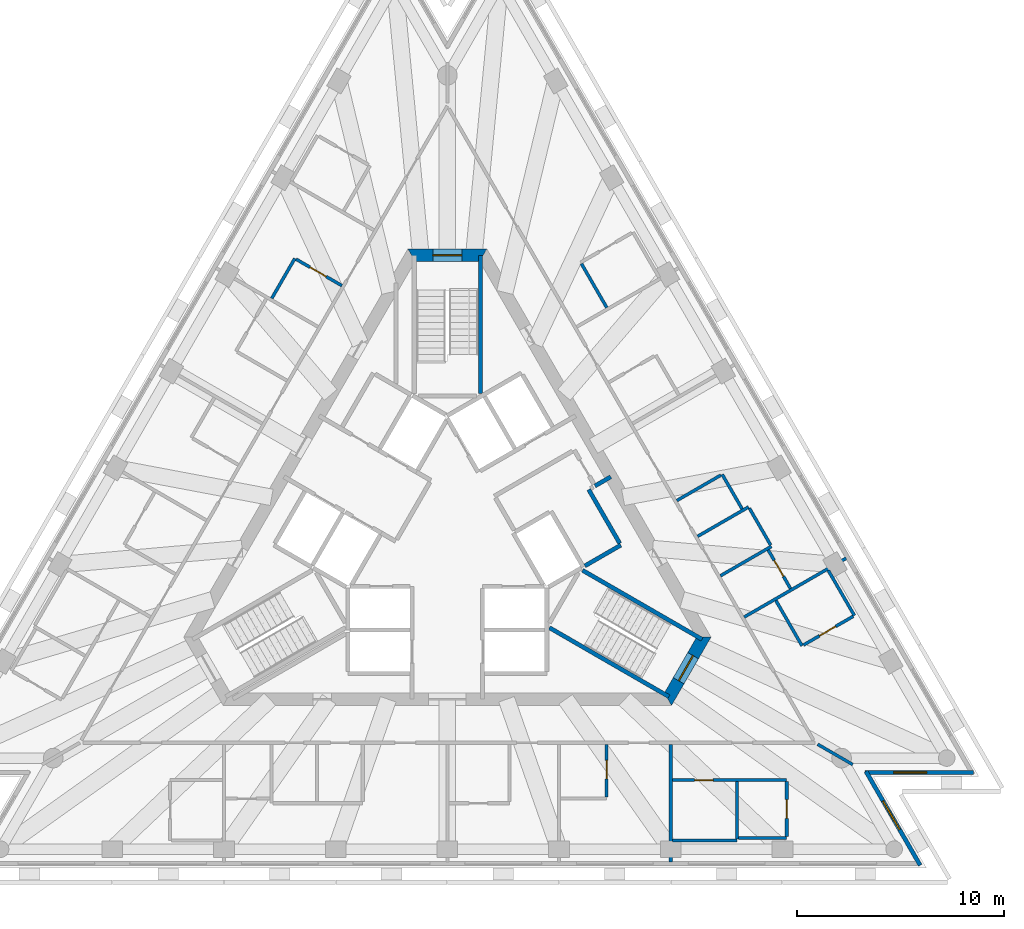
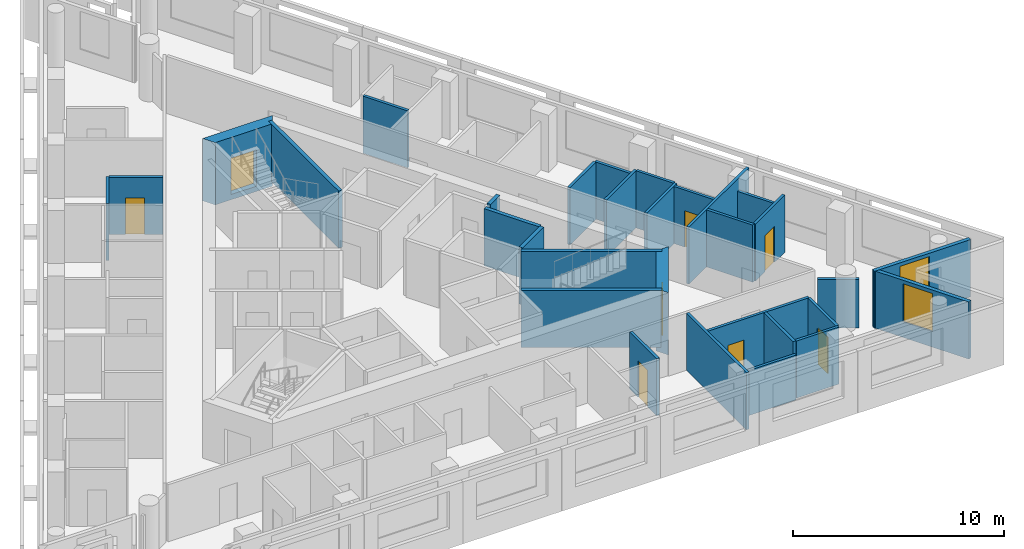
# One storey, part 6 of 10: 31 walls, 8 doors, 2 windows, 10 openings.
"""IFC4 building model written with IfcOpenShell, lengths in metres."""

from ifc_helpers import new_model, si_unit, direction, frame, frame_2d, origin, place, context, subcontext, project, spatial, polyline, rectangle, outline, extrude, material, layer, layer_set, layer_usage, type_object, element, fill, save


model = new_model("IFC4")

# Units and contexts
model_context = context("Model", 3, precision=1e-05, world=origin(), true_north=direction((0.0, 1.0)))
body_context = subcontext(model_context, "Body", "Model", "MODEL_VIEW")
ifc_project = project(units=[si_unit("LENGTHUNIT", "METRE"), si_unit("AREAUNIT", "SQUARE_METRE"), si_unit("VOLUMEUNIT", "CUBIC_METRE"), si_unit("PLANEANGLEUNIT", "RADIAN"), si_unit("MASSUNIT", "GRAM", prefix="KILO")], contexts=[model_context])

# Site, building, storey
site_placement = place(None, origin())
site = spatial("IfcSite", under=ifc_project, at=site_placement, CompositionType="ELEMENT")
building_placement = place(site_placement, origin())
building = spatial("IfcBuilding", under=site, at=building_placement, Name="Triada Interchange Tower", CompositionType="ELEMENT")
storey_placement = place(building_placement, frame((0.0, 0.0, 293.5)))
storey = spatial("IfcBuildingStorey", under=building, at=storey_placement, Name="L69", CompositionType="ELEMENT", Elevation=293.5)

# Walls
ifc_material_1 = material(Name="Concrete C30/37", Category="concrete")
ifc_layer_1 = layer(ifc_material_1, 0.199951171875)
ifc_layer_set_1 = layer_set([ifc_layer_1], Name="CORE WALL 200 EI 120")
wall_type_1 = type_object("IfcWallType", Name="CORE WALL 200 EI 120", PredefinedType="SOLIDWALL", material=ifc_layer_set_1)
wall_1_placement = place(storey_placement, frame((7.12890625, 2.153076171875, 0.0), z_axis=(0.0, 0.0, 1.0), x_axis=(0.866083962871, 0.499898558967, 0.0)))
element("IfcWall", 1, at=wall_1_placement, inside=storey, type_object=wall_type_1, Name="Wall L68 87", PredefinedType="SOLIDWALL", context=body_context, shape_type="SweptSolid", body=[
    extrude(rectangle(XDim=0.880126953125, YDim=0.199951171875, at=frame_2d((0.43994140625, 0.0))), origin(), (0.0, 0.0, 1.0), 3.300048828125),
])
ifc_layer_2 = layer(ifc_material_1, 0.199951171875)
ifc_layer_set_2 = layer_set([ifc_layer_2], Name="CORE WALL 200 EI 90")
wall_type_2 = type_object("IfcWallType", Name="CORE WALL 200 EI 90", PredefinedType="SOLIDWALL", material=ifc_layer_set_2)
wall_2_placement = place(storey_placement, frame((6.64208984375, -1.7080078125, 0.0), z_axis=(0.0, 0.0, 1.0), x_axis=(0.866043441391, 0.499968756647, 0.0)))
element("IfcWall", 2, at=wall_2_placement, inside=storey, type_object=wall_type_2, Name="Wall L68 109", PredefinedType="SOLIDWALL", context=body_context, shape_type="SweptSolid", body=[
    extrude(rectangle(XDim=2.002197265625, YDim=0.199951171875, at=frame_2d((1.0009765625, 0.0))), origin(), (0.0, 0.0, 1.0), 3.300048828125),
])
wall_3_placement = place(storey_placement, frame((6.825927734375, 1.97802734375, 0.0), z_axis=(0.0, 0.0, 1.0), x_axis=(0.499990139034, -0.866031096941, 0.0)))
element("IfcWall", 3, at=wall_3_placement, inside=storey, type_object=wall_type_2, Name="Wall L68 110", PredefinedType="SOLIDWALL", context=body_context, shape_type="SweptSolid", body=[
    extrude(rectangle(XDim=3.0, YDim=0.199951171875, at=frame_2d((1.5, 0.0))), origin(), (0.0, 0.0, 1.0), 3.300048828125),
])
ifc_layer_3 = layer(ifc_material_1, 0.199951171875)
ifc_layer_set_3 = layer_set([ifc_layer_3], Name="CORE WALL 200 REI 240")
wall_type_3 = type_object("IfcWallType", Name="CORE WALL 200 REI 240", PredefinedType="SOLIDWALL", material=ifc_layer_set_3)
for number, where, z_axis, x_axis, name in (
    (4, (1.60009765625, 6.614990234375, 0.0), (0.0, 0.0, 1.0), (0.0, 1.0, 0.0), "Wall L68 115"),
    (5, (4.928955078125, -4.693115234375, 0.0), (0.0, 0.0, 1.0), (0.866005022404, -0.500035299925, 0.0), "Wall L68 118"),
):
    element("IfcWall", number, at=place(storey_placement, frame(where, z_axis=z_axis, x_axis=x_axis)), inside=storey, type_object=wall_type_3, Name=name, PredefinedType="SOLIDWALL", context=body_context, shape_type="SweptSolid", body=[
        extrude(rectangle(XDim=6.6650390625, YDim=0.199951171875, at=frame_2d((3.33251953125, 0.0))), origin(), (0.0, 0.0, 1.0), 3.300048828125),
    ])
wall_4_placement = place(storey_placement, frame((6.529052734375, -1.922119140625, 0.0), z_axis=(0.0, 0.0, 1.0), x_axis=(0.866068467981, -0.499925403204, 0.0)))
element("IfcWall", 6, at=wall_4_placement, inside=storey, type_object=wall_type_3, Name="Wall L68 120", PredefinedType="SOLIDWALL", context=body_context, shape_type="SweptSolid", body=[
    extrude(rectangle(XDim=6.66455078125, YDim=0.199951171875, at=frame_2d((3.332275390625, 0.0))), origin(), (0.0, 0.0, 1.0), 3.300048828125),
])

# Wall, opening, door
ifc_material_2 = material(Name="Concrete C40/50", Category="concrete")
ifc_layer_4 = layer(ifc_material_2, 0.60009765625)
ifc_layer_set_4 = layer_set([ifc_layer_4], Name="Core wall D 600")
wall_type_4 = type_object("IfcWallType", Name="Core wall D 600", PredefinedType="SHEAR", material=ifc_layer_set_4)
wall_5_placement = place(storey_placement, frame((1.73193359375, 13.300048828125, -0.300048828125), z_axis=(0.0, 0.0, 1.0), x_axis=(-1.0, 0.0, 0.0)))
wall_5 = element("IfcWall", 7, at=wall_5_placement, inside=storey, type_object=wall_type_4, Name="Core wall WD01 L69", PredefinedType="SHEAR", context=body_context, shape_type="SweptSolid", body=[
    extrude(outline(polyline([(-0.173095703125, -0.300048828125), (1.73193359375, -0.300048828125), (3.636962890625, -0.300048828125), (3.291015625, 0.300048828125), (1.73193359375, 0.300048828125), (0.173095703125, 0.300048828125), (-0.173095703125, -0.300048828125)])), origin(), (0.0, 0.0, 1.0), 3.60009765625),
])
opening_1_placement = place(wall_5_placement, frame((1.031982421875, 0.0, 0.300048828125)))
opening_1 = element("IfcOpeningElement", 8, at=opening_1_placement, cuts=wall_5, Name="Opening D68-48", PredefinedType="OPENING", context=body_context, shape_type="SweptSolid", body=[
    extrude(rectangle(XDim=1.39990234375, YDim=2.10009765625, at=frame_2d((0.699951171875, 1.050048828125))), frame((0.0, 0.31005859375, 0.0), z_axis=(0.0, -1.0, 0.0), x_axis=(1.0, 0.0, 0.0)), (0.0, 0.0, 1.0), 0.6201171875),
])
ifc_material_3 = material(Name="Steel S235 door leaf", Category="steel")
door_type_1 = type_object("IfcDoorType", Name="STAIR DOOR 1400 EI2 90-C5S200", OperationType="DOUBLE_DOOR_SINGLE_SWING", PredefinedType="DOOR", material=ifc_material_3)
door_1_placement = place(opening_1_placement, origin())
door_1 = element("IfcDoor", 9, at=door_1_placement, inside=storey, type_object=door_type_1, Name="Door D68-48 L69", OperationType="DOUBLE_DOOR_SINGLE_SWING", OverallHeight=2.10009765625, OverallWidth=1.39990234375, PredefinedType="DOOR", context=body_context, shape_type="SweptSolid", body=[
    extrude(rectangle(XDim=1.39990234375, YDim=2.10009765625, at=frame_2d((0.699951171875, 1.050048828125))), frame((0.0, 0.02490234375, 0.0), z_axis=(0.0, -1.0, 0.0), x_axis=(1.0, 0.0, 0.0)), (0.0, 0.0, 1.0), 0.050048828125),
])
fill(opening_1, door_1)

wall_6_placement = place(storey_placement, frame((10.652099609375, -8.14990234375, -0.300048828125), z_axis=(0.0, 0.0, 1.0), x_axis=(0.49997462182, 0.866040055388, 0.0)))
wall_6 = element("IfcWall", 10, at=wall_6_placement, inside=storey, type_object=wall_type_4, Name="Core wall WD05 L69", PredefinedType="SHEAR", context=body_context, shape_type="SweptSolid", body=[
    extrude(outline(polyline([(-0.173095703125, -0.300048828125), (1.732421875, -0.300537109375), (3.637939453125, -0.301025390625), (3.291015625, 0.300048828125), (1.73193359375, 0.300048828125), (0.173095703125, 0.300048828125), (-0.173095703125, -0.300048828125)])), origin(), (0.0, 0.0, 1.0), 3.60009765625),
])
opening_2_placement = place(wall_6_placement, frame((1.031982421875, 0.0, 0.300048828125)))
opening_2 = element("IfcOpeningElement", 11, at=opening_2_placement, cuts=wall_6, Name="Opening D68-50", PredefinedType="OPENING", context=body_context, shape_type="SweptSolid", body=[
    extrude(rectangle(XDim=1.39990234375, YDim=2.10009765625, at=frame_2d((0.699951171875, 1.050048828125))), frame((0.0, 0.31005859375, 0.0), z_axis=(0.0, -1.0, 0.0), x_axis=(1.0, 0.0, 0.0)), (0.0, 0.0, 1.0), 0.62109375),
])
door_2_placement = place(opening_2_placement, origin())
door_2 = element("IfcDoor", 12, at=door_2_placement, inside=storey, type_object=door_type_1, Name="Door D68-50 L69", OperationType="DOUBLE_DOOR_SINGLE_SWING", OverallHeight=2.10009765625, OverallWidth=1.39990234375, PredefinedType="DOOR", context=body_context, shape_type="SweptSolid", body=[
    extrude(rectangle(XDim=1.39990234375, YDim=2.10009765625, at=frame_2d((0.699951171875, 1.050048828125))), frame((0.0, 0.02490234375, 0.0), z_axis=(0.0, -1.0, 0.0), x_axis=(1.0, 0.0, 0.0)), (0.0, 0.0, 1.0), 0.050048828125),
])
fill(opening_2, door_2)

# Wall, opening, window
ifc_material_4 = material(Name="Cement board")
ifc_layer_5 = layer(ifc_material_4, 0.02001953125, Name="Cement board cladding")
ifc_material_5 = material(Name="Sheathing board")
ifc_layer_6 = layer(ifc_material_5, 0.014892578125, Name="Sheathing board")
ifc_material_6 = material(Name="Mineral wool")
ifc_layer_7 = layer(ifc_material_6, 0.14990234375, Name="Mineral wool between steel studs")
ifc_material_7 = material(Name="Gypsum board")
ifc_layer_8 = layer(ifc_material_7, 0.014892578125, Name="Plasterboard lining")
ifc_layer_set_5 = layer_set([ifc_layer_5, ifc_layer_6, ifc_layer_7, ifc_layer_8], Name="External wall 200")
ifc_layer_usage = layer_usage(ifc_layer_set_5, "AXIS2", "POSITIVE", -0.10009765625)
wall_type_5 = type_object("IfcWallType", Name="External wall 200", PredefinedType="ELEMENTEDWALL", material=ifc_layer_set_5)
wall_7_placement = place(storey_placement, frame((22.8349609375, -16.16796875, 0.0), z_axis=(0.0, 0.0, 1.0), x_axis=(-0.499933584342, 0.866063745487, 0.0)))
wall_7 = element("IfcWall", 13, at=wall_7_placement, inside=storey, type_object=wall_type_5, material=ifc_layer_usage, Name="External wall L69 SE-1", PredefinedType="ELEMENTEDWALL", context=body_context, shape_type="SweptSolid", body=[
    extrude(rectangle(XDim=5.238525390625, YDim=0.199951171875, at=frame_2d((2.619140625, 0.0))), origin(), (0.0, 0.0, 1.0), 3.300048828125),
])
opening_3_placement = place(wall_7_placement, frame((1.989990234375, 0.0, 0.89990234375)))
opening_3 = element("IfcOpeningElement", 14, at=opening_3_placement, cuts=wall_7, Name="Opening WD19", PredefinedType="OPENING", context=body_context, shape_type="SweptSolid", body=[
    extrude(rectangle(XDim=1.60009765625, YDim=2.199951171875, at=frame_2d((0.800048828125, 1.10009765625))), frame((0.0, 0.10986328125, 0.0), z_axis=(0.0, -1.0, 0.0), x_axis=(1.0, 0.0, 0.0)), (0.0, 0.0, 1.0), 0.219970703125),
])
ifc_material_8 = material(Name="Double glazed aluminium window", Category="aluminium")
window_type = type_object("IfcWindowType", Name="Ribbon window D pocket", PartitioningType="SINGLE_PANEL", PredefinedType="WINDOW", material=ifc_material_8)
window_1_placement = place(opening_3_placement, origin())
window_1 = element("IfcWindow", 15, at=window_1_placement, inside=storey, type_object=window_type, Name="Window L69 SE-1 1", OverallHeight=2.199951171875, OverallWidth=1.60009765625, PartitioningType="SINGLE_PANEL", PredefinedType="WINDOW", context=body_context, shape_type="SweptSolid", body=[
    extrude(rectangle(XDim=1.60009765625, YDim=2.199951171875, at=frame_2d((0.800048828125, 1.10009765625))), frame((0.0, 0.030029296875, 0.0), z_axis=(0.0, -1.0, 0.0), x_axis=(1.0, 0.0, 0.0)), (0.0, 0.0, 1.0), 0.06005859375),
])
fill(opening_3, window_1)

wall_8_placement = place(storey_placement, frame((20.160888671875, -11.69189453125, 0.0), z_axis=(0.0, 0.0, 1.0), x_axis=(1.0, 0.0, 0.0)))
wall_8 = element("IfcWall", 16, at=wall_8_placement, inside=storey, type_object=wall_type_5, material=ifc_layer_usage, Name="External wall L69 SE-2", PredefinedType="ELEMENTEDWALL", context=body_context, shape_type="SweptSolid", body=[
    extrude(rectangle(XDim=5.239013671875, YDim=0.199951171875, at=frame_2d((2.61962890625, 0.0))), origin(), (0.0, 0.0, 1.0), 3.300048828125),
])
opening_4_placement = place(wall_8_placement, frame((1.389892578125, 0.0, 0.89990234375)))
opening_4 = element("IfcOpeningElement", 17, at=opening_4_placement, cuts=wall_8, Name="Opening WD20", PredefinedType="OPENING", context=body_context, shape_type="SweptSolid", body=[
    extrude(rectangle(XDim=1.60009765625, YDim=2.199951171875, at=frame_2d((0.800048828125, 1.10009765625))), frame((0.0, 0.10986328125, 0.0), z_axis=(0.0, -1.0, 0.0), x_axis=(1.0, 0.0, 0.0)), (0.0, 0.0, 1.0), 0.219970703125),
])
window_2_placement = place(opening_4_placement, origin())
window_2 = element("IfcWindow", 18, at=window_2_placement, inside=storey, type_object=window_type, Name="Window L69 SE-2 1", OverallHeight=2.199951171875, OverallWidth=1.60009765625, PartitioningType="SINGLE_PANEL", PredefinedType="WINDOW", context=body_context, shape_type="SweptSolid", body=[
    extrude(rectangle(XDim=1.60009765625, YDim=2.199951171875, at=frame_2d((0.800048828125, 1.10009765625))), frame((0.0, 0.030029296875, 0.0), z_axis=(0.0, -1.0, 0.0), x_axis=(1.0, 0.0, 0.0)), (0.0, 0.0, 1.0), 0.06005859375),
])
fill(opening_4, window_2)

# Walls
ifc_material_9 = material(Name="Gypsum board partition")
ifc_layer_9 = layer(ifc_material_9, 0.14990234375)
ifc_layer_set_6 = layer_set([ifc_layer_9], Name="PARTITION 150 EI 180")
wall_type_6 = type_object("IfcWallType", Name="PARTITION 150 EI 180", PredefinedType="PARTITIONING", material=ifc_layer_set_6)
wall_9_placement = place(storey_placement, frame((17.883056640625, -10.324951171875, 0.0), z_axis=(0.0, 0.0, 1.0), x_axis=(0.865973311606, -0.500090215447, 0.0)))
element("IfcWall", 19, at=wall_9_placement, inside=storey, type_object=wall_type_6, Name="Wall L68 8", PredefinedType="PARTITIONING", context=body_context, shape_type="SweptSolid", body=[
    extrude(rectangle(XDim=1.953857421875, YDim=0.14990234375, at=frame_2d((0.97705078125, 0.0))), origin(), (0.0, 0.0, 1.0), 2.800048828125),
])
wall_10_placement = place(storey_placement, frame((10.7890625, -16.010009765625, 0.0), z_axis=(0.0, 0.0, 1.0), x_axis=(0.0, 1.0, 0.0)))
element("IfcWall", 20, at=wall_10_placement, inside=storey, type_object=wall_type_6, Name="Wall L68 21", PredefinedType="PARTITIONING", context=body_context, shape_type="SweptSolid", body=[
    extrude(rectangle(XDim=5.68505859375, YDim=0.14990234375, at=frame_2d((2.842529296875, 0.0))), origin(), (0.0, 0.0, 1.0), 3.300048828125),
])
wall_11_placement = place(storey_placement, frame((13.27294921875, 2.7109375, 0.0), z_axis=(0.0, 0.0, 1.0), x_axis=(0.499671230855, -0.86621513555, 0.0)))
element("IfcWall", 21, at=wall_11_placement, inside=storey, type_object=wall_type_6, Name="Wall L68 22", PredefinedType="PARTITIONING", context=body_context, shape_type="SweptSolid", body=[
    extrude(rectangle(XDim=1.925537109375, YDim=0.14990234375, at=frame_2d((0.962890625, 0.0))), origin(), (0.0, 0.0, 1.0), 3.300048828125),
])
wall_12_placement = place(storey_placement, frame((11.0859375, 1.447998046875, 0.0), z_axis=(0.0, 0.0, 1.0), x_axis=(0.8660395779, 0.499975448907, 0.0)))
element("IfcWall", 22, at=wall_12_placement, inside=storey, type_object=wall_type_6, Name="Wall L68 23", PredefinedType="PARTITIONING", context=body_context, shape_type="SweptSolid", body=[
    extrude(rectangle(XDim=2.4501953125, YDim=0.14990234375, at=frame_2d((1.22509765625, 0.0))), origin(), (0.0, 0.0, 1.0), 3.300048828125),
])
wall_13_placement = place(storey_placement, frame((12.0859375, -0.283935546875, 0.0), z_axis=(0.0, 0.0, 1.0), x_axis=(0.865995540999, 0.500051720295, 0.0)))
element("IfcWall", 23, at=wall_13_placement, inside=storey, type_object=wall_type_6, Name="Wall L68 24", PredefinedType="PARTITIONING", context=body_context, shape_type="SweptSolid", body=[
    extrude(rectangle(XDim=2.845458984375, YDim=0.14990234375, at=frame_2d((1.4228515625, 0.0))), origin(), (0.0, 0.0, 1.0), 3.300048828125),
])
wall_14_placement = place(storey_placement, frame((13.18603515625, -2.18896484375, 0.0), z_axis=(0.0, 0.0, 1.0), x_axis=(0.866122712398, 0.499831418649, 0.0)))
element("IfcWall", 24, at=wall_14_placement, inside=storey, type_object=wall_type_6, Name="Wall L68 25", PredefinedType="PARTITIONING", context=body_context, shape_type="SweptSolid", body=[
    extrude(rectangle(XDim=2.8447265625, YDim=0.14990234375, at=frame_2d((1.42236328125, 0.0))), origin(), (0.0, 0.0, 1.0), 3.300048828125),
])
wall_15_placement = place(storey_placement, frame((14.3359375, -4.180908203125, 0.0), z_axis=(0.0, 0.0, 1.0), x_axis=(0.86606758311, 0.499926936147, 0.0)))
element("IfcWall", 25, at=wall_15_placement, inside=storey, type_object=wall_type_6, Name="Wall L68 26", PredefinedType="PARTITIONING", context=body_context, shape_type="SweptSolid", body=[
    extrude(rectangle(XDim=5.684326171875, YDim=0.14990234375, at=frame_2d((2.84228515625, 0.0))), origin(), (0.0, 0.0, 1.0), 3.300048828125),
])
wall_16_placement = place(storey_placement, frame((14.587890625, 1.073974609375, 0.0), z_axis=(0.0, 0.0, 1.0), x_axis=(0.499942325911, -0.866058699375, 0.0)))
element("IfcWall", 26, at=wall_16_placement, inside=storey, type_object=wall_type_6, Name="Wall L68 27", PredefinedType="PARTITIONING", context=body_context, shape_type="SweptSolid", body=[
    extrude(rectangle(XDim=2.050537109375, YDim=0.14990234375, at=frame_2d((1.025390625, 0.0))), origin(), (0.0, 0.0, 1.0), 3.300048828125),
])
ifc_layer_10 = layer(ifc_material_9, 0.14990234375)
ifc_layer_set_7 = layer_set([ifc_layer_10], Name="PARTITION 150 EI 90")
wall_type_7 = type_object("IfcWallType", Name="PARTITION 150 EI 90", PredefinedType="PARTITIONING", material=ifc_layer_set_7)
wall_17_placement = place(storey_placement, frame((-8.47998046875, 11.2119140625, 0.0), z_axis=(0.0, 0.0, 1.0), x_axis=(0.499833278392, 0.866121639155, 0.0)))
element("IfcWall", 27, at=wall_17_placement, inside=storey, type_object=wall_type_7, Name="Wall L68 39", PredefinedType="PARTITIONING", context=body_context, shape_type="SweptSolid", body=[
    extrude(rectangle(XDim=2.224853515625, YDim=0.14990234375, at=frame_2d((1.1123046875, 0.0))), origin(), (0.0, 0.0, 1.0), 3.300048828125),
])

# Wall, opening, door
wall_18_placement = place(storey_placement, frame((10.864013671875, -12.050048828125, 0.0), z_axis=(0.0, 0.0, 1.0), x_axis=(1.0, 0.0, 0.0)))
wall_18 = element("IfcWall", 28, at=wall_18_placement, inside=storey, type_object=wall_type_7, Name="Wall L68 42", PredefinedType="PARTITIONING", context=body_context, shape_type="SweptSolid", body=[
    extrude(rectangle(XDim=5.52490234375, YDim=0.14990234375, at=frame_2d((2.762451171875, 0.0))), origin(), (0.0, 0.0, 1.0), 3.300048828125),
])
opening_5_placement = place(wall_18_placement, frame((1.074951171875, 0.0, 0.0)))
opening_5 = element("IfcOpeningElement", 29, at=opening_5_placement, cuts=wall_18, Name="Opening D68-22", PredefinedType="OPENING", context=body_context, shape_type="SweptSolid", body=[
    extrude(rectangle(XDim=0.89990234375, YDim=2.10009765625, at=frame_2d((0.449951171875, 1.050048828125))), frame((0.0, 0.0849609375, 0.0), z_axis=(0.0, -1.0, 0.0), x_axis=(1.0, 0.0, 0.0)), (0.0, 0.0, 1.0), 0.169921875),
])
door_type_2 = type_object("IfcDoorType", Name="ROOM DOOR 900 EI2 45-C5S200", OperationType="NOTDEFINED", PredefinedType="DOOR", material=ifc_material_3)
door_3_placement = place(opening_5_placement, origin())
door_3 = element("IfcDoor", 30, at=door_3_placement, inside=storey, type_object=door_type_2, Name="Door D68-22 L69", OperationType="SINGLE_SWING_RIGHT", OverallHeight=2.10009765625, OverallWidth=0.89990234375, PredefinedType="DOOR", context=body_context, shape_type="SweptSolid", body=[
    extrude(rectangle(XDim=0.89990234375, YDim=2.10009765625, at=frame_2d((0.449951171875, 1.050048828125))), frame((0.0, 0.02490234375, 0.0), z_axis=(0.0, -1.0, 0.0), x_axis=(1.0, 0.0, 0.0)), (0.0, 0.0, 1.0), 0.050048828125),
])
fill(opening_5, door_3)

# Wall
wall_19_placement = place(storey_placement, frame((10.864013671875, -14.969970703125, 0.0), z_axis=(0.0, 0.0, 1.0), x_axis=(1.0, 0.0, 0.0)))
element("IfcWall", 31, at=wall_19_placement, inside=storey, type_object=wall_type_7, Name="Wall L68 45", PredefinedType="PARTITIONING", context=body_context, shape_type="SweptSolid", body=[
    extrude(rectangle(XDim=3.125, YDim=0.14990234375, at=frame_2d((1.5625, 0.0))), origin(), (0.0, 0.0, 1.0), 2.60009765625),
])

# Wall, opening, door
wall_20_placement = place(storey_placement, frame((7.694091796875, -12.875, 0.0), z_axis=(0.0, 0.0, 1.0), x_axis=(0.0, 1.0, 0.0)))
wall_20 = element("IfcWall", 32, at=wall_20_placement, inside=storey, type_object=wall_type_7, Name="Wall L68 52", PredefinedType="PARTITIONING", context=body_context, shape_type="SweptSolid", body=[
    extrude(rectangle(XDim=2.550048828125, YDim=0.14990234375, at=frame_2d((1.27490234375, 0.0))), origin(), (0.0, 0.0, 1.0), 3.300048828125),
])
opening_6_placement = place(wall_20_placement, frame((0.875, 0.0, 0.0)))
opening_6 = element("IfcOpeningElement", 33, at=opening_6_placement, cuts=wall_20, Name="Opening D68-20", PredefinedType="OPENING", context=body_context, shape_type="SweptSolid", body=[
    extrude(rectangle(XDim=0.89990234375, YDim=2.10009765625, at=frame_2d((0.449951171875, 1.050048828125))), frame((0.0, 0.0849609375, 0.0), z_axis=(0.0, -1.0, 0.0), x_axis=(1.0, 0.0, 0.0)), (0.0, 0.0, 1.0), 0.169921875),
])
door_4_placement = place(opening_6_placement, origin())
door_4 = element("IfcDoor", 34, at=door_4_placement, inside=storey, type_object=door_type_2, Name="Door D68-20 L69", OperationType="SINGLE_SWING_RIGHT", OverallHeight=2.10009765625, OverallWidth=0.89990234375, PredefinedType="DOOR", context=body_context, shape_type="SweptSolid", body=[
    extrude(rectangle(XDim=0.89990234375, YDim=2.10009765625, at=frame_2d((0.449951171875, 1.050048828125))), frame((0.0, 0.02490234375, 0.0), z_axis=(0.0, -1.0, 0.0), x_axis=(1.0, 0.0, 0.0)), (0.0, 0.0, 1.0), 0.050048828125),
])
fill(opening_6, door_4)

wall_21_placement = place(storey_placement, frame((15.4970703125, -0.94189453125, 0.0), z_axis=(0.0, 0.0, 1.0), x_axis=(0.499961633463, -0.866047553582, 0.0)))
wall_21 = element("IfcWall", 35, at=wall_21_placement, inside=storey, type_object=wall_type_7, Name="Wall L68 54", PredefinedType="PARTITIONING", context=body_context, shape_type="SweptSolid", body=[
    extrude(rectangle(XDim=2.150146484375, YDim=0.14990234375, at=frame_2d((1.0751953125, 0.0))), origin(), (0.0, 0.0, 1.0), 3.300048828125),
])
opening_7_placement = place(wall_21_placement, frame((0.574951171875, 0.0, 0.0)))
opening_7 = element("IfcOpeningElement", 36, at=opening_7_placement, cuts=wall_21, Name="Opening D68-27", PredefinedType="OPENING", context=body_context, shape_type="SweptSolid", body=[
    extrude(rectangle(XDim=0.89990234375, YDim=2.10009765625, at=frame_2d((0.449951171875, 1.050048828125))), frame((0.0, 0.0849609375, 0.0), z_axis=(0.0, -1.0, 0.0), x_axis=(1.0, 0.0, 0.0)), (0.0, 0.0, 1.0), 0.169921875),
])
door_5_placement = place(opening_7_placement, origin())
door_5 = element("IfcDoor", 37, at=door_5_placement, inside=storey, type_object=door_type_2, Name="Door D68-27 L69", OperationType="SINGLE_SWING_LEFT", OverallHeight=2.10009765625, OverallWidth=0.89990234375, PredefinedType="DOOR", context=body_context, shape_type="SweptSolid", body=[
    extrude(rectangle(XDim=0.89990234375, YDim=2.10009765625, at=frame_2d((0.449951171875, 1.050048828125))), frame((0.0, 0.02490234375, 0.0), z_axis=(0.0, -1.0, 0.0), x_axis=(1.0, 0.0, 0.0)), (0.0, 0.0, 1.0), 0.050048828125),
])
fill(opening_7, door_5)

# Walls
wall_22_placement = place(storey_placement, frame((18.39599609375, -1.924072265625, 0.0), z_axis=(0.0, 0.0, 1.0), x_axis=(0.500246986138, -0.865882759304, 0.0)))
element("IfcWall", 38, at=wall_22_placement, inside=storey, type_object=wall_type_7, Name="Wall L68 57", PredefinedType="PARTITIONING", context=body_context, shape_type="SweptSolid", body=[
    extrude(rectangle(XDim=2.524658203125, YDim=0.14990234375, at=frame_2d((1.26220703125, 0.0))), origin(), (0.0, 0.0, 1.0), 2.60009765625),
])
wall_23_placement = place(storey_placement, frame((6.47607421875, 12.884033203125, 0.0), z_axis=(0.0, 0.0, 1.0), x_axis=(0.499900713578, -0.866082719239, 0.0)))
element("IfcWall", 39, at=wall_23_placement, inside=storey, type_object=wall_type_7, Name="Wall L68 59", PredefinedType="PARTITIONING", context=body_context, shape_type="SweptSolid", body=[
    extrude(rectangle(XDim=2.4501953125, YDim=0.14990234375, at=frame_2d((1.22509765625, 0.0))), origin(), (0.0, 0.0, 1.0), 3.300048828125),
])
wall_24_placement = place(storey_placement, frame((15.867919921875, -3.384033203125, 0.0), z_axis=(0.0, 0.0, 1.0), x_axis=(0.499956887143, -0.866050293573, 0.0)))
element("IfcWall", 40, at=wall_24_placement, inside=storey, type_object=wall_type_7, Name="Wall L68 60", PredefinedType="PARTITIONING", context=body_context, shape_type="SweptSolid", body=[
    extrude(rectangle(XDim=2.524169921875, YDim=0.14990234375, at=frame_2d((1.26220703125, 0.0))), origin(), (0.0, 0.0, 1.0), 3.300048828125),
])
wall_25_placement = place(storey_placement, frame((13.989013671875, -14.89501953125, 0.0), z_axis=(0.0, 0.0, 1.0), x_axis=(0.0, 1.0, 0.0)))
element("IfcWall", 41, at=wall_25_placement, inside=storey, type_object=wall_type_7, Name="Wall L68 61", PredefinedType="PARTITIONING", context=body_context, shape_type="SweptSolid", body=[
    extrude(rectangle(XDim=2.77001953125, YDim=0.14990234375, at=frame_2d((1.385009765625, 0.0))), origin(), (0.0, 0.0, 1.0), 3.300048828125),
])
wall_26_placement = place(storey_placement, frame((14.06396484375, -14.85009765625, 0.0), z_axis=(0.0, 0.0, 1.0), x_axis=(1.0, 0.0, 0.0)))
element("IfcWall", 42, at=wall_26_placement, inside=storey, type_object=wall_type_7, Name="Wall L68 62", PredefinedType="PARTITIONING", context=body_context, shape_type="SweptSolid", body=[
    extrude(rectangle(XDim=2.324951171875, YDim=0.14990234375, at=frame_2d((1.16259765625, 0.0))), origin(), (0.0, 0.0, 1.0), 3.300048828125),
])

# Wall, opening, door
wall_27_placement = place(storey_placement, frame((16.388916015625, -14.77490234375, 0.0), z_axis=(0.0, 0.0, 1.0), x_axis=(0.0, 1.0, 0.0)))
wall_27 = element("IfcWall", 43, at=wall_27_placement, inside=storey, type_object=wall_type_7, Name="Wall L68 63", PredefinedType="PARTITIONING", context=body_context, shape_type="SweptSolid", body=[
    extrude(rectangle(XDim=2.64990234375, YDim=0.14990234375, at=frame_2d((1.324951171875, 0.0))), origin(), (0.0, 0.0, 1.0), 3.300048828125),
])
opening_8_placement = place(wall_27_placement, frame((0.875, 0.0, 0.0)))
opening_8 = element("IfcOpeningElement", 44, at=opening_8_placement, cuts=wall_27, Name="Opening D68-23", PredefinedType="OPENING", context=body_context, shape_type="SweptSolid", body=[
    extrude(rectangle(XDim=0.89990234375, YDim=2.10009765625, at=frame_2d((0.449951171875, 1.050048828125))), frame((0.0, 0.0849609375, 0.0), z_axis=(0.0, -1.0, 0.0), x_axis=(1.0, 0.0, 0.0)), (0.0, 0.0, 1.0), 0.169921875),
])
door_type_3 = type_object("IfcDoorType", Name="SERVICE DOOR 900 EI2 45-C5S200", OperationType="NOTDEFINED", PredefinedType="DOOR", material=ifc_material_3)
door_6_placement = place(opening_8_placement, origin())
door_6 = element("IfcDoor", 45, at=door_6_placement, inside=storey, type_object=door_type_3, Name="Door D68-23 L69", OperationType="SINGLE_SWING_LEFT", OverallHeight=2.10009765625, OverallWidth=0.89990234375, PredefinedType="DOOR", context=body_context, shape_type="SweptSolid", body=[
    extrude(rectangle(XDim=0.89990234375, YDim=2.10009765625, at=frame_2d((0.449951171875, 1.050048828125))), frame((0.0, 0.02490234375, 0.0), z_axis=(0.0, -1.0, 0.0), x_axis=(1.0, 0.0, 0.0)), (0.0, 0.0, 1.0), 0.050048828125),
])
fill(opening_8, door_6)

wall_28_placement = place(storey_placement, frame((17.195068359375, -5.532958984375, 0.0), z_axis=(0.0, 0.0, 1.0), x_axis=(0.866027073272, 0.499997108352, 0.0)))
wall_28 = element("IfcWall", 46, at=wall_28_placement, inside=storey, type_object=wall_type_7, Name="Wall L68 64", PredefinedType="PARTITIONING", context=body_context, shape_type="SweptSolid", body=[
    extrude(rectangle(XDim=2.77001953125, YDim=0.14990234375, at=frame_2d((1.385009765625, 0.0))), origin(), (0.0, 0.0, 1.0), 3.300048828125),
])
opening_9_placement = place(wall_28_placement, frame((0.89501953125, 0.0, 0.0)))
opening_9 = element("IfcOpeningElement", 47, at=opening_9_placement, cuts=wall_28, Name="Opening D68-25", PredefinedType="OPENING", context=body_context, shape_type="SweptSolid", body=[
    extrude(rectangle(XDim=0.89990234375, YDim=2.10009765625, at=frame_2d((0.449951171875, 1.050048828125))), frame((0.0, 0.0849609375, 0.0), z_axis=(0.0, -1.0, 0.0), x_axis=(1.0, 0.0, 0.0)), (0.0, 0.0, 1.0), 0.169921875),
])
door_7_placement = place(opening_9_placement, origin())
door_7 = element("IfcDoor", 48, at=door_7_placement, inside=storey, type_object=door_type_2, Name="Door D68-25 L69", OperationType="SINGLE_SWING_RIGHT", OverallHeight=2.10009765625, OverallWidth=0.89990234375, PredefinedType="DOOR", context=body_context, shape_type="SweptSolid", body=[
    extrude(rectangle(XDim=0.89990234375, YDim=2.10009765625, at=frame_2d((0.449951171875, 1.050048828125))), frame((0.0, 0.02490234375, 0.0), z_axis=(0.0, -1.0, 0.0), x_axis=(1.0, 0.0, 0.0)), (0.0, 0.0, 1.0), 0.050048828125),
])
fill(opening_9, door_7)

wall_29_placement = place(storey_placement, frame((-7.302978515625, 13.10107421875, 0.0), z_axis=(0.0, 0.0, 1.0), x_axis=(0.866061263272, -0.499937884402, 0.0)))
wall_29 = element("IfcWall", 49, at=wall_29_placement, inside=storey, type_object=wall_type_7, Name="Wall L68 65", PredefinedType="PARTITIONING", context=body_context, shape_type="SweptSolid", body=[
    extrude(rectangle(XDim=2.550537109375, YDim=0.14990234375, at=frame_2d((1.275390625, 0.0))), origin(), (0.0, 0.0, 1.0), 3.300048828125),
])
opening_10_placement = place(wall_29_placement, frame((0.77490234375, 0.0, 0.0)))
opening_10 = element("IfcOpeningElement", 50, at=opening_10_placement, cuts=wall_29, Name="Opening D68-37", PredefinedType="OPENING", context=body_context, shape_type="SweptSolid", body=[
    extrude(rectangle(XDim=0.89990234375, YDim=2.10009765625, at=frame_2d((0.449951171875, 1.050048828125))), frame((0.0, 0.0849609375, 0.0), z_axis=(0.0, -1.0, 0.0), x_axis=(1.0, 0.0, 0.0)), (0.0, 0.0, 1.0), 0.169921875),
])
door_8_placement = place(opening_10_placement, origin())
door_8 = element("IfcDoor", 51, at=door_8_placement, inside=storey, type_object=door_type_2, Name="Door D68-37 L69", OperationType="SINGLE_SWING_LEFT", OverallHeight=2.10009765625, OverallWidth=0.89990234375, PredefinedType="DOOR", context=body_context, shape_type="SweptSolid", body=[
    extrude(rectangle(XDim=0.89990234375, YDim=2.10009765625, at=frame_2d((0.449951171875, 1.050048828125))), frame((0.0, 0.02490234375, 0.0), z_axis=(0.0, -1.0, 0.0), x_axis=(1.0, 0.0, 0.0)), (0.0, 0.0, 1.0), 0.050048828125),
])
fill(opening_10, door_8)

save(model, "model.ifc")
